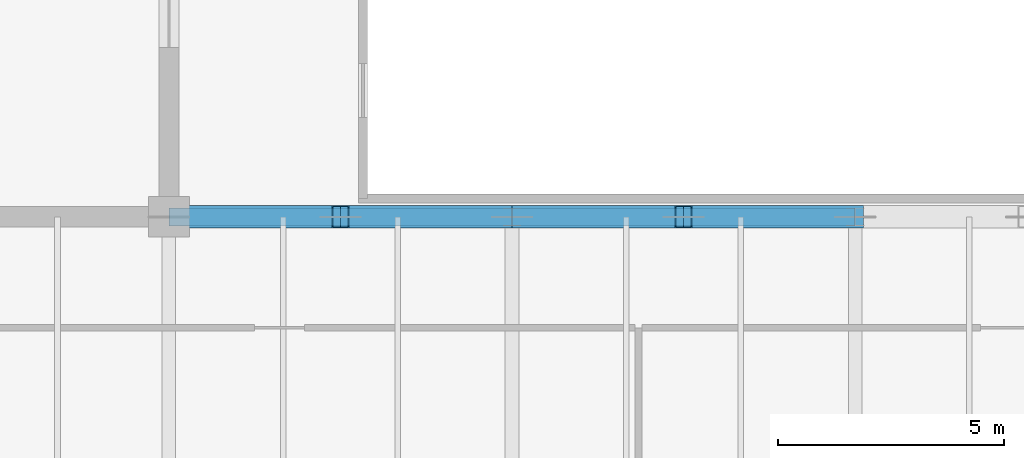
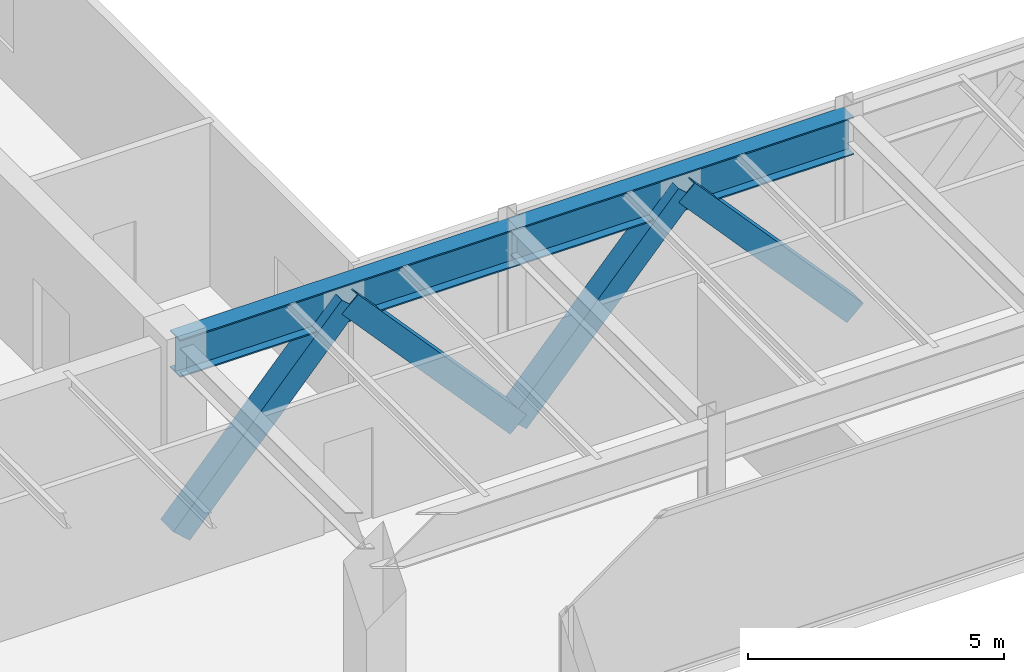
# One storey, part 8 of 34: 4 members, 2 beams.
"""IFC4 building model written with IfcOpenShell, lengths in metres."""

from ifc_helpers import new_model, si_unit, direction, frame, origin, origin_2d, place, context, subcontext, project, spatial, hollow_rectangle, i_section, extrude, source, transform, mapped, material, material_profile, profile_set, type_object, type_shapes, element, save


model = new_model("IFC4")

# Units and contexts
model_context = context("Model", 3, precision=1e-05, world=origin(), true_north=direction((0.0, 1.0)))
body_context = subcontext(model_context, "Body", "Model", "MODEL_VIEW")
ifc_project = project(units=[si_unit("LENGTHUNIT", "METRE"), si_unit("AREAUNIT", "SQUARE_METRE"), si_unit("VOLUMEUNIT", "CUBIC_METRE"), si_unit("PLANEANGLEUNIT", "RADIAN"), si_unit("MASSUNIT", "GRAM", prefix="KILO")], contexts=[model_context])

# Site, building, storey
site_placement = place(None, origin())
site = spatial("IfcSite", under=ifc_project, at=site_placement, CompositionType="ELEMENT")
building_placement = place(site_placement, origin())
building = spatial("IfcBuilding", under=site, at=building_placement, Name="Haelvirn Gate Laboratories", CompositionType="ELEMENT")
storey_placement = place(building_placement, frame((0.0, 0.0, 297.60009765625)))
storey = spatial("IfcBuildingStorey", under=building, at=storey_placement, Name="L71", CompositionType="ELEMENT", Elevation=297.60009765625)

# Beams
ifc_material = material(Name="Steel SM420", Category="steel")
ifc_material_profile_1 = material_profile(ifc_material, i_section(OverallWidth=0.39990234375, OverallDepth=0.89990234375, WebThickness=0.01904296875, FlangeThickness=0.031982421875, at=origin_2d()), Name="H-900x400x19x32")
ifc_profile_set_1 = profile_set([ifc_material_profile_1], Name="Steel SM420")
beam_type = type_object("IfcBeamType", Name="BM-TG-900", PredefinedType="BEAM", material=ifc_profile_set_1)
shared_shape_1 = source(origin(), body_context, "Body", "SweptSolid", [
    extrude(i_section(OverallWidth=0.39990234375, OverallDepth=0.89990234375, WebThickness=0.01904296875, FlangeThickness=0.031982421875, at=origin_2d()), origin(), (0.0, 0.0, 1.0), 7.60009765625),
])
beam_1_placement = place(storey_placement, frame((22.199951171875, 14.800048828125, 3.449951171875), z_axis=(1.0, 0.0, 0.0), x_axis=(0.0, 1.0, 0.0)))
element("IfcBeam", 1, at=beam_1_placement, inside=storey, type_object=beam_type, Name="L71 Primary Girder Y14.8 (22.2-29.8)", PredefinedType="BEAM", context=body_context, shape_type="MappedRepresentation", body=[
    mapped(shared_shape_1, transform((0.0, 0.0, 0.0), scale=1.0)),
])
shared_shape_2 = source(origin(), body_context, "Body", "SweptSolid", [
    extrude(i_section(OverallWidth=0.39990234375, OverallDepth=0.89990234375, WebThickness=0.01904296875, FlangeThickness=0.031982421875, at=origin_2d()), origin(), (0.0, 0.0, 1.0), 7.599853515625),
])
type_shapes(beam_type, [shared_shape_1, shared_shape_2])
beam_2_placement = place(storey_placement, frame((29.800048828125, 14.800048828125, 3.449951171875), z_axis=(1.0, 0.0, 0.0), x_axis=(0.0, 1.0, 0.0)))
element("IfcBeam", 2, at=beam_2_placement, inside=storey, type_object=beam_type, Name="L71 Primary Girder Y14.8 (29.8-37.4)", PredefinedType="BEAM", context=body_context, shape_type="MappedRepresentation", body=[
    mapped(shared_shape_2, transform((0.0, 0.0, 0.0), scale=1.0)),
])

# Members
ifc_material_profile_2 = material_profile(ifc_material, hollow_rectangle(XDim=0.5, YDim=0.5, WallThickness=0.02197265625, at=origin_2d()), Name="BOX-500x500x22")
ifc_profile_set_2 = profile_set([ifc_material_profile_2], Name="Steel SM420")
member_type = type_object("IfcMemberType", Name="MEM-ARCH-WEB", PredefinedType="BRACE", material=ifc_profile_set_2)
shared_shape_3 = source(origin(), body_context, "Body", "SweptSolid", [
    extrude(hollow_rectangle(XDim=0.5, YDim=0.5, WallThickness=0.02197265625, at=origin_2d()), origin(), (0.0, 0.0, 1.0), 5.663818359375),
])
type_shapes(member_type, [shared_shape_3])
for number, where, z_axis, x_axis, name in (
    (3, (22.199951171875, 14.800048828125, -0.75), (0.670922353302, 0.0, 0.741527609628), (0.0, 1.0, 0.0), "L71 Arch Truss Chevron Web Y14.8-1A"),
    (4, (26.0, 14.800048828125, 3.449951171875), (0.670922353302, 0.0, -0.741527609628), (0.0, 1.0, 0.0), "L71 Arch Truss Chevron Web Y14.8-1B"),
    (5, (29.800048828125, 14.800048828125, -0.75), (0.670922353302, 0.0, 0.741527609628), (0.0, 1.0, 0.0), "L71 Arch Truss Chevron Web Y14.8-2A"),
    (6, (33.60009765625, 14.800048828125, 3.449951171875), (0.670898650667, 0.0, -0.741549054705), (0.0, 1.0, 0.0), "L71 Arch Truss Chevron Web Y14.8-2B"),
):
    element("IfcMember", number, at=place(storey_placement, frame(where, z_axis=z_axis, x_axis=x_axis)), inside=storey, type_object=member_type, Name=name, PredefinedType="BRACE", context=body_context, shape_type="MappedRepresentation", body=[
        mapped(shared_shape_3, transform((0.0, 0.0, 0.0), scale=1.0)),
    ])

save(model, "model.ifc")
